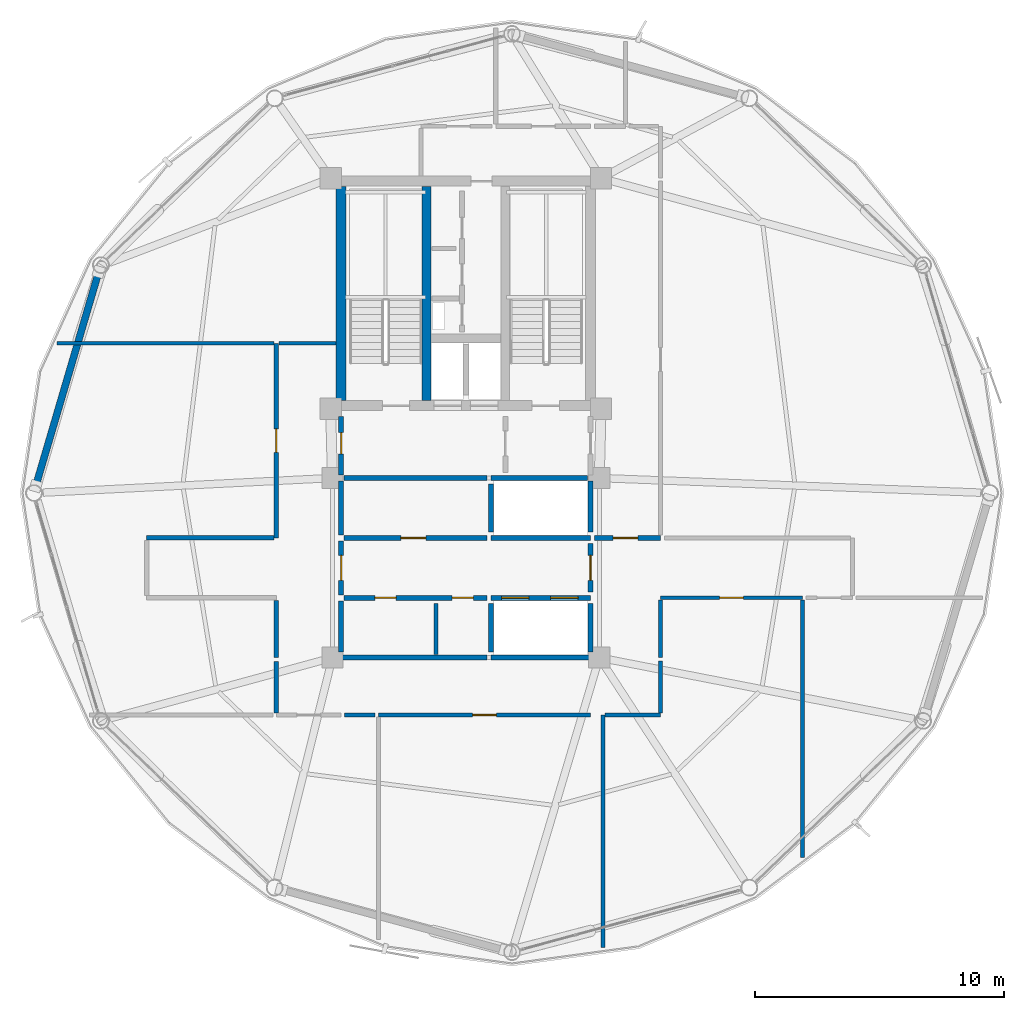
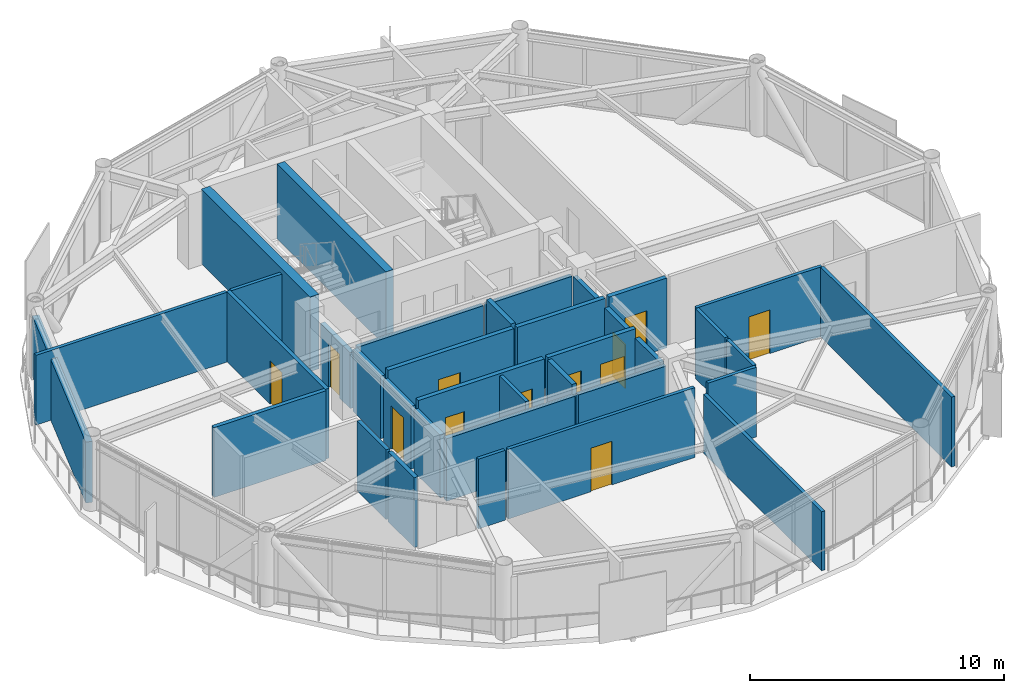
# One storey, part 23 of 28: 36 walls, 12 doors, 12 openings.
"""IFC4 building model written with IfcOpenShell, lengths in metres."""

from ifc_helpers import new_model, si_unit, direction, frame, frame_2d, origin, place, context, subcontext, project, spatial, rectangle, extrude, material, layer, layer_set, type_object, element, fill, save


model = new_model("IFC4")

# Units and contexts
model_context = context("Model", 3, precision=1e-05, world=origin(), true_north=direction((0.0, 1.0)))
body_context = subcontext(model_context, "Body", "Model", "MODEL_VIEW")
ifc_project = project(units=[si_unit("LENGTHUNIT", "METRE"), si_unit("AREAUNIT", "SQUARE_METRE"), si_unit("VOLUMEUNIT", "CUBIC_METRE"), si_unit("PLANEANGLEUNIT", "RADIAN"), si_unit("MASSUNIT", "GRAM", prefix="KILO")], contexts=[model_context])

# Site, building, storey
site_placement = place(None, origin())
site = spatial("IfcSite", under=ifc_project, at=site_placement, CompositionType="ELEMENT")
building_placement = place(site_placement, origin())
building = spatial("IfcBuilding", under=site, at=building_placement, Name="Varnakorn Sky Granary", CompositionType="ELEMENT")
storey_placement = place(building_placement, frame((0.0, 0.0, 211.199951171875)))
storey = spatial("IfcBuildingStorey", under=building, at=storey_placement, Name="L53", CompositionType="ELEMENT", Elevation=211.199951171875)

# Walls
ifc_material_1 = material(Name="Concrete C50/60", Category="concrete")
ifc_layer_1 = layer(ifc_material_1, 0.35009765625, Name="Concrete C50/60")
ifc_layer_set_1 = layer_set([ifc_layer_1], Name="Concrete C50/60")
wall_type_1 = type_object("IfcWallType", Name="WT-CW-INT-350", PredefinedType="SHEAR", material=ifc_layer_set_1)
wall_1_placement = place(storey_placement, frame((1.419921875, 3.7099609375, 0.0), z_axis=(0.0, 0.0, 1.0), x_axis=(0.0, 1.0, 0.0)))
element("IfcWall", 1, at=wall_1_placement, inside=storey, type_object=wall_type_1, Name="Stair ST-1 Core Wall L53", PredefinedType="SHEAR", context=body_context, shape_type="SweptSolid", body=[
    extrude(rectangle(XDim=8.580078125, YDim=0.35009765625, at=frame_2d((4.2900390625, 0.0))), origin(), (0.0, 0.0, 1.0), 3.592041015625),
])
ifc_layer_2 = layer(ifc_material_1, 0.39990234375, Name="Concrete C50/60")
ifc_layer_set_2 = layer_set([ifc_layer_2], Name="Concrete C50/60")
wall_type_2 = type_object("IfcWallType", Name="WT-CW-SHEAR-400", PredefinedType="SHEAR", material=ifc_layer_set_2)
wall_2_placement = place(storey_placement, frame((-2.0, 3.7099609375, 0.0), z_axis=(0.0, 0.0, 1.0), x_axis=(0.0, 1.0, 0.0)))
element("IfcWall", 2, at=wall_2_placement, inside=storey, type_object=wall_type_2, Name="Core West Shear Wall L53", PredefinedType="SHEAR", context=body_context, shape_type="SweptSolid", body=[
    extrude(rectangle(XDim=8.580078125, YDim=0.39990234375, at=frame_2d((4.2900390625, 0.0))), origin(), (0.0, 0.0, 1.0), 3.592041015625),
])
ifc_material_2 = material(Name="Precast concrete C40/50", Category="concrete")
ifc_layer_3 = layer(ifc_material_2, 0.280029296875, Name="Precast concrete C40/50")
ifc_layer_set_3 = layer_set([ifc_layer_3], Name="Precast concrete C40/50")
wall_type_3 = type_object("IfcWallType", Name="WT-EW-CRN-280", PredefinedType="SOLIDWALL", material=ifc_layer_set_3)
wall_3_placement = place(storey_placement, frame((-14.24267578125, 0.2734375, 0.0), z_axis=(0.0, 0.0, 1.0), x_axis=(0.281972946309, 0.959422356186, 0.0)))
element("IfcWall", 3, at=wall_3_placement, inside=storey, type_object=wall_type_3, Name="Agritech Insulated Precast Facade Wall L53-P06", PredefinedType="SOLIDWALL", context=body_context, shape_type="SweptSolid", body=[
    extrude(rectangle(XDim=8.954345703125, YDim=0.280029296875, at=frame_2d((4.47705078125, 0.0))), origin(), (0.0, 0.0, 1.0), 2.929931640625),
])

# Wall, opening, door
ifc_material_3 = material(Name="Autoclaved Aerated Concrete Blockwork", Category="masonry")
ifc_layer_4 = layer(ifc_material_3, 0.199951171875, Name="Autoclaved Aerated Concrete Blockwork")
ifc_layer_set_4 = layer_set([ifc_layer_4], Name="Autoclaved Aerated Concrete Blockwork")
wall_type_4 = type_object("IfcWallType", Name="WT-FIRE-200", PredefinedType="MOVABLE", material=ifc_layer_set_4)
wall_4_placement = place(storey_placement, frame((-2.0, 0.719970703125, 0.0), z_axis=(0.0, 0.0, 1.0), x_axis=(0.0, 1.0, 0.0)))
wall_4 = element("IfcWall", 4, at=wall_4_placement, inside=storey, type_object=wall_type_4, Name="Interior Partition Wall L53-013", PredefinedType="MOVABLE", context=body_context, shape_type="SweptSolid", body=[
    extrude(rectangle(XDim=2.35009765625, YDim=0.199951171875, at=frame_2d((1.175048828125, 0.0))), origin(), (0.0, 0.0, 1.0), 2.692138671875),
])
opening_1_placement = place(wall_4_placement, frame((0.844970703125, 0.0, 0.0)))
opening_1 = element("IfcOpeningElement", 5, at=opening_1_placement, cuts=wall_4, Name="Opening FD-60N", PredefinedType="OPENING", context=body_context, shape_type="SweptSolid", body=[
    extrude(rectangle(XDim=0.85009765625, YDim=2.10009765625, at=frame_2d((0.425048828125, 1.050048828125))), frame((0.0, 0.10986328125, 0.0), z_axis=(0.0, -1.0, 0.0), x_axis=(1.0, 0.0, 0.0)), (0.0, 0.0, 1.0), 0.219970703125),
])
ifc_material_4 = material(Name="Acoustic Timber Fire Leaf", Category="wood")
door_type_1 = type_object("IfcDoorType", Name="DR-FD60-850", OperationType="NOTDEFINED", PredefinedType="DOOR", material=ifc_material_4)
door_1_placement = place(opening_1_placement, origin())
door_1 = element("IfcDoor", 6, at=door_1_placement, inside=storey, type_object=door_type_1, Name="Interior Door L53-013-1", OperationType="SINGLE_SWING_RIGHT", OverallHeight=2.10009765625, OverallWidth=0.85009765625, PredefinedType="DOOR", context=body_context, shape_type="SweptSolid", body=[
    extrude(rectangle(XDim=0.85009765625, YDim=2.10009765625, at=frame_2d((0.425048828125, 1.050048828125))), frame((0.0, 0.02490234375, 0.0), z_axis=(0.0, -1.0, 0.0), x_axis=(1.0, 0.0, 0.0)), (0.0, 0.0, 1.0), 0.050048828125),
])
fill(opening_1, door_1)

wall_5_placement = place(storey_placement, frame((-2.0, -4.080078125, 0.0), z_axis=(0.0, 0.0, 1.0), x_axis=(0.0, 1.0, 0.0)))
wall_5 = element("IfcWall", 7, at=wall_5_placement, inside=storey, type_object=wall_type_4, Name="Interior Partition Wall L53-015", PredefinedType="MOVABLE", context=body_context, shape_type="SweptSolid", body=[
    extrude(rectangle(XDim=2.16015625, YDim=0.199951171875, at=frame_2d((1.080078125, 0.0))), origin(), (0.0, 0.0, 1.0), 3.011962890625),
])
opening_2_placement = place(wall_5_placement, frame((0.580078125, 0.0, 0.0)))
opening_2 = element("IfcOpeningElement", 8, at=opening_2_placement, cuts=wall_5, Name="Opening FD-60", PredefinedType="OPENING", context=body_context, shape_type="SweptSolid", body=[
    extrude(rectangle(XDim=1.0, YDim=2.10009765625, at=frame_2d((0.5, 1.050048828125))), frame((0.0, 0.10986328125, 0.0), z_axis=(0.0, -1.0, 0.0), x_axis=(1.0, 0.0, 0.0)), (0.0, 0.0, 1.0), 0.219970703125),
])
door_type_2 = type_object("IfcDoorType", Name="DR-FD60-1000", OperationType="NOTDEFINED", PredefinedType="DOOR", material=ifc_material_4)
door_2_placement = place(opening_2_placement, origin())
door_2 = element("IfcDoor", 9, at=door_2_placement, inside=storey, type_object=door_type_2, Name="Interior Door L53-015-1", OperationType="SINGLE_SWING_RIGHT", OverallHeight=2.10009765625, OverallWidth=1.0, PredefinedType="DOOR", context=body_context, shape_type="SweptSolid", body=[
    extrude(rectangle(XDim=1.0, YDim=2.10009765625, at=frame_2d((0.5, 1.050048828125))), frame((0.0, 0.02490234375, 0.0), z_axis=(0.0, -1.0, 0.0), x_axis=(1.0, 0.0, 0.0)), (0.0, 0.0, 1.0), 0.050048828125),
])
fill(opening_2, door_2)

wall_6_placement = place(storey_placement, frame((8.0, -3.969970703125, 0.0), z_axis=(0.0, 0.0, 1.0), x_axis=(0.0, 1.0, 0.0)))
wall_6 = element("IfcWall", 10, at=wall_6_placement, inside=storey, type_object=wall_type_4, Name="Interior Partition Wall L53-016", PredefinedType="MOVABLE", context=body_context, shape_type="SweptSolid", body=[
    extrude(rectangle(XDim=1.93994140625, YDim=0.199951171875, at=frame_2d((0.969970703125, 0.0))), origin(), (0.0, 0.0, 1.0), 3.011962890625),
])
opening_3_placement = place(wall_6_placement, frame((0.469970703125, 0.0, 0.0)))
opening_3 = element("IfcOpeningElement", 11, at=opening_3_placement, cuts=wall_6, Name="Opening FD-60", PredefinedType="OPENING", context=body_context, shape_type="SweptSolid", body=[
    extrude(rectangle(XDim=1.0, YDim=2.10009765625, at=frame_2d((0.5, 1.050048828125))), frame((0.0, 0.10986328125, 0.0), z_axis=(0.0, -1.0, 0.0), x_axis=(1.0, 0.0, 0.0)), (0.0, 0.0, 1.0), 0.219970703125),
])
door_3_placement = place(opening_3_placement, origin())
door_3 = element("IfcDoor", 12, at=door_3_placement, inside=storey, type_object=door_type_2, Name="Interior Door L53-016-1", OperationType="SINGLE_SWING_LEFT", OverallHeight=2.10009765625, OverallWidth=1.0, PredefinedType="DOOR", context=body_context, shape_type="SweptSolid", body=[
    extrude(rectangle(XDim=1.0, YDim=2.10009765625, at=frame_2d((0.5, 1.050048828125))), frame((0.0, 0.02490234375, 0.0), z_axis=(0.0, -1.0, 0.0), x_axis=(1.0, 0.0, 0.0)), (0.0, 0.0, 1.0), 0.050048828125),
])
fill(opening_3, door_3)

wall_7_placement = place(storey_placement, frame((-1.889892578125, -1.800048828125, 0.0), z_axis=(0.0, 0.0, 1.0), x_axis=(1.0, 0.0, 0.0)))
wall_7 = element("IfcWall", 13, at=wall_7_placement, inside=storey, type_object=wall_type_4, Name="Interior Partition Wall L53-017", PredefinedType="MOVABLE", context=body_context, shape_type="SweptSolid", body=[
    extrude(rectangle(XDim=5.72998046875, YDim=0.199951171875, at=frame_2d((2.864990234375, 0.0))), origin(), (0.0, 0.0, 1.0), 3.360107421875),
])
opening_4_placement = place(wall_7_placement, frame((2.2900390625, 0.0, 0.0)))
opening_4 = element("IfcOpeningElement", 14, at=opening_4_placement, cuts=wall_7, Name="Opening FD-60", PredefinedType="OPENING", context=body_context, shape_type="SweptSolid", body=[
    extrude(rectangle(XDim=1.0, YDim=2.10009765625, at=frame_2d((0.5, 1.050048828125))), frame((0.0, 0.10986328125, 0.0), z_axis=(0.0, -1.0, 0.0), x_axis=(1.0, 0.0, 0.0)), (0.0, 0.0, 1.0), 0.219970703125),
])
door_4_placement = place(opening_4_placement, origin())
door_4 = element("IfcDoor", 15, at=door_4_placement, inside=storey, type_object=door_type_2, Name="Interior Door L53-017-1", OperationType="SINGLE_SWING_RIGHT", OverallHeight=2.10009765625, OverallWidth=1.0, PredefinedType="DOOR", context=body_context, shape_type="SweptSolid", body=[
    extrude(rectangle(XDim=1.0, YDim=2.10009765625, at=frame_2d((0.5, 1.050048828125))), frame((0.0, 0.02490234375, 0.0), z_axis=(0.0, -1.0, 0.0), x_axis=(1.0, 0.0, 0.0)), (0.0, 0.0, 1.0), 0.050048828125),
])
fill(opening_4, door_4)

# Wall, openings, doors
wall_8_placement = place(storey_placement, frame((-1.889892578125, -4.199951171875, 0.0), z_axis=(0.0, 0.0, 1.0), x_axis=(1.0, 0.0, 0.0)))
wall_8 = element("IfcWall", 16, at=wall_8_placement, inside=storey, type_object=wall_type_4, Name="Interior Partition Wall L53-018", PredefinedType="MOVABLE", context=body_context, shape_type="SweptSolid", body=[
    extrude(rectangle(XDim=5.72998046875, YDim=0.199951171875, at=frame_2d((2.864990234375, 0.0))), origin(), (0.0, 0.0, 1.0), 3.360107421875),
])
opening_5_placement = place(wall_8_placement, frame((1.239990234375, 0.0, 0.0)))
opening_5 = element("IfcOpeningElement", 17, at=opening_5_placement, cuts=wall_8, Name="Opening FD-60N", PredefinedType="OPENING", context=body_context, shape_type="SweptSolid", body=[
    extrude(rectangle(XDim=0.85009765625, YDim=2.10009765625, at=frame_2d((0.425048828125, 1.050048828125))), frame((0.0, 0.10986328125, 0.0), z_axis=(0.0, -1.0, 0.0), x_axis=(1.0, 0.0, 0.0)), (0.0, 0.0, 1.0), 0.219970703125),
])
opening_6_placement = place(wall_8_placement, frame((4.340087890625, 0.0, 0.0)))
opening_6 = element("IfcOpeningElement", 18, at=opening_6_placement, cuts=wall_8, Name="Opening FD-60N", PredefinedType="OPENING", context=body_context, shape_type="SweptSolid", body=[
    extrude(rectangle(XDim=0.85009765625, YDim=2.10009765625, at=frame_2d((0.425048828125, 1.050048828125))), frame((0.0, 0.10986328125, 0.0), z_axis=(0.0, -1.0, 0.0), x_axis=(1.0, 0.0, 0.0)), (0.0, 0.0, 1.0), 0.219970703125),
])
door_5_placement = place(opening_5_placement, origin())
door_5 = element("IfcDoor", 19, at=door_5_placement, inside=storey, type_object=door_type_1, Name="Interior Door L53-018-1", OperationType="SINGLE_SWING_LEFT", OverallHeight=2.10009765625, OverallWidth=0.85009765625, PredefinedType="DOOR", context=body_context, shape_type="SweptSolid", body=[
    extrude(rectangle(XDim=0.85009765625, YDim=2.10009765625, at=frame_2d((0.425048828125, 1.050048828125))), frame((0.0, 0.02490234375, 0.0), z_axis=(0.0, -1.0, 0.0), x_axis=(1.0, 0.0, 0.0)), (0.0, 0.0, 1.0), 0.050048828125),
])
fill(opening_5, door_5)
door_6_placement = place(opening_6_placement, origin())
door_6 = element("IfcDoor", 20, at=door_6_placement, inside=storey, type_object=door_type_1, Name="Interior Door L53-018-2", OperationType="SINGLE_SWING_RIGHT", OverallHeight=2.10009765625, OverallWidth=0.85009765625, PredefinedType="DOOR", context=body_context, shape_type="SweptSolid", body=[
    extrude(rectangle(XDim=0.85009765625, YDim=2.10009765625, at=frame_2d((0.425048828125, 1.050048828125))), frame((0.0, 0.02490234375, 0.0), z_axis=(0.0, -1.0, 0.0), x_axis=(1.0, 0.0, 0.0)), (0.0, 0.0, 1.0), 0.050048828125),
])
fill(opening_6, door_6)

# Wall, opening, door
wall_9_placement = place(storey_placement, frame((8.159912109375, -1.800048828125, 0.0), z_axis=(0.0, 0.0, 1.0), x_axis=(1.0, 0.0, 0.0)))
wall_9 = element("IfcWall", 21, at=wall_9_placement, inside=storey, type_object=wall_type_4, Name="Interior Partition Wall L53-019", PredefinedType="MOVABLE", context=body_context, shape_type="SweptSolid", body=[
    extrude(rectangle(XDim=2.64013671875, YDim=0.199951171875, at=frame_2d((1.320068359375, 0.0))), origin(), (0.0, 0.0, 1.0), 3.360107421875),
])
opening_7_placement = place(wall_9_placement, frame((0.739990234375, 0.0, 0.0)))
opening_7 = element("IfcOpeningElement", 22, at=opening_7_placement, cuts=wall_9, Name="Opening FD-60", PredefinedType="OPENING", context=body_context, shape_type="SweptSolid", body=[
    extrude(rectangle(XDim=1.0, YDim=2.10009765625, at=frame_2d((0.5, 1.050048828125))), frame((0.0, 0.10986328125, 0.0), z_axis=(0.0, -1.0, 0.0), x_axis=(1.0, 0.0, 0.0)), (0.0, 0.0, 1.0), 0.219970703125),
])
door_7_placement = place(opening_7_placement, origin())
door_7 = element("IfcDoor", 23, at=door_7_placement, inside=storey, type_object=door_type_2, Name="Interior Door L53-019-1", OperationType="SINGLE_SWING_LEFT", OverallHeight=2.10009765625, OverallWidth=1.0, PredefinedType="DOOR", context=body_context, shape_type="SweptSolid", body=[
    extrude(rectangle(XDim=1.0, YDim=2.10009765625, at=frame_2d((0.5, 1.050048828125))), frame((0.0, 0.02490234375, 0.0), z_axis=(0.0, -1.0, 0.0), x_axis=(1.0, 0.0, 0.0)), (0.0, 0.0, 1.0), 0.050048828125),
])
fill(opening_7, door_7)

# Walls
wall_10_placement = place(storey_placement, frame((-1.8798828125, 0.60009765625, 0.0), z_axis=(0.0, 0.0, 1.0), x_axis=(1.0, 0.0, 0.0)))
element("IfcWall", 24, at=wall_10_placement, inside=storey, type_object=wall_type_4, Name="Interior Partition Wall L53-029", PredefinedType="MOVABLE", context=body_context, shape_type="SweptSolid", body=[
    extrude(rectangle(XDim=5.719970703125, YDim=0.199951171875, at=frame_2d((2.85986328125, 0.0))), origin(), (0.0, 0.0, 1.0), 3.011962890625),
])
wall_11_placement = place(storey_placement, frame((-2.0, -1.679931640625, 0.0), z_axis=(0.0, 0.0, 1.0), x_axis=(0.0, 1.0, 0.0)))
element("IfcWall", 25, at=wall_11_placement, inside=storey, type_object=wall_type_4, Name="Interior Partition Wall L53-030", PredefinedType="MOVABLE", context=body_context, shape_type="SweptSolid", body=[
    extrude(rectangle(XDim=2.159912109375, YDim=0.199951171875, at=frame_2d((1.080078125, 0.0))), origin(), (0.0, 0.0, 1.0), 3.011962890625),
])
wall_12_placement = place(storey_placement, frame((-2.0, -6.60009765625, 0.0), z_axis=(0.0, 0.0, 1.0), x_axis=(1.0, 0.0, 0.0)))
element("IfcWall", 26, at=wall_12_placement, inside=storey, type_object=wall_type_4, Name="Interior Partition Wall L53-032", PredefinedType="MOVABLE", context=body_context, shape_type="SweptSolid", body=[
    extrude(rectangle(XDim=5.840087890625, YDim=0.199951171875, at=frame_2d((2.919921875, 0.0))), origin(), (0.0, 0.0, 1.0), 3.011962890625),
])
wall_13_placement = place(storey_placement, frame((-2.0, -6.3701171875, 0.0), z_axis=(0.0, 0.0, 1.0), x_axis=(0.0, 1.0, 0.0)))
element("IfcWall", 27, at=wall_13_placement, inside=storey, type_object=wall_type_4, Name="Interior Partition Wall L53-033", PredefinedType="MOVABLE", context=body_context, shape_type="SweptSolid", body=[
    extrude(rectangle(XDim=2.050048828125, YDim=0.199951171875, at=frame_2d((1.02490234375, 0.0))), origin(), (0.0, 0.0, 1.0), 3.011962890625),
])

# Wall, opening, door
ifc_material_5 = material(Name="Gypsum Plasterboard on Steel Stud", Category="steel")
ifc_layer_5 = layer(ifc_material_5, 0.14990234375, Name="Gypsum Plasterboard on Steel Stud")
ifc_layer_set_5 = layer_set([ifc_layer_5], Name="Gypsum Plasterboard on Steel Stud")
wall_type_5 = type_object("IfcWallType", Name="WT-PART-150", PredefinedType="PARTITIONING", material=ifc_layer_set_5)
wall_14_placement = place(storey_placement, frame((-0.5, -8.89990234375, 0.0), z_axis=(0.0, 0.0, 1.0), x_axis=(1.0, 0.0, 0.0)))
wall_14 = element("IfcWall", 28, at=wall_14_placement, inside=storey, type_object=wall_type_5, Name="Interior Partition Wall L53-022", PredefinedType="PARTITIONING", context=body_context, shape_type="SweptSolid", body=[
    extrude(rectangle(XDim=8.5, YDim=0.14990234375, at=frame_2d((4.25, 0.0))), origin(), (0.0, 0.0, 1.0), 3.360107421875),
])
opening_8_placement = place(wall_14_placement, frame((3.77490234375, 0.0, 0.0)))
opening_8 = element("IfcOpeningElement", 29, at=opening_8_placement, cuts=wall_14, Name="Opening ID-95", PredefinedType="OPENING", context=body_context, shape_type="SweptSolid", body=[
    extrude(rectangle(XDim=0.949951171875, YDim=2.10009765625, at=frame_2d((0.47509765625, 1.050048828125))), frame((0.0, 0.0849609375, 0.0), z_axis=(0.0, -1.0, 0.0), x_axis=(1.0, 0.0, 0.0)), (0.0, 0.0, 1.0), 0.169921875),
])
ifc_material_6 = material(Name="Solid-Core Teak Veneer Leaf", Category="timber")
door_type_3 = type_object("IfcDoorType", Name="DR-INT-950", OperationType="NOTDEFINED", PredefinedType="DOOR", material=ifc_material_6)
door_8_placement = place(opening_8_placement, origin())
door_8 = element("IfcDoor", 30, at=door_8_placement, inside=storey, type_object=door_type_3, Name="Interior Door L53-022-1", OperationType="SINGLE_SWING_RIGHT", OverallHeight=2.10009765625, OverallWidth=0.949951171875, PredefinedType="DOOR", context=body_context, shape_type="SweptSolid", body=[
    extrude(rectangle(XDim=0.949951171875, YDim=2.10009765625, at=frame_2d((0.47509765625, 1.050048828125))), frame((0.0, 0.02490234375, 0.0), z_axis=(0.0, -1.0, 0.0), x_axis=(1.0, 0.0, 0.0)), (0.0, 0.0, 1.0), 0.050048828125),
])
fill(opening_8, door_8)

wall_15_placement = place(storey_placement, frame((10.800048828125, -4.199951171875, 0.0), z_axis=(0.0, 0.0, 1.0), x_axis=(1.0, 0.0, 0.0)))
wall_15 = element("IfcWall", 31, at=wall_15_placement, inside=storey, type_object=wall_type_5, Name="Interior Partition Wall L53-023", PredefinedType="PARTITIONING", context=body_context, shape_type="SweptSolid", body=[
    extrude(rectangle(XDim=5.699951171875, YDim=0.14990234375, at=frame_2d((2.85009765625, 0.0))), origin(), (0.0, 0.0, 1.0), 3.360107421875),
])
opening_9_placement = place(wall_15_placement, frame((2.375, 0.0, 0.0)))
opening_9 = element("IfcOpeningElement", 32, at=opening_9_placement, cuts=wall_15, Name="Opening ID-95", PredefinedType="OPENING", context=body_context, shape_type="SweptSolid", body=[
    extrude(rectangle(XDim=0.949951171875, YDim=2.10009765625, at=frame_2d((0.47509765625, 1.050048828125))), frame((0.0, 0.0849609375, 0.0), z_axis=(0.0, -1.0, 0.0), x_axis=(1.0, 0.0, 0.0)), (0.0, 0.0, 1.0), 0.169921875),
])
door_9_placement = place(opening_9_placement, origin())
door_9 = element("IfcDoor", 33, at=door_9_placement, inside=storey, type_object=door_type_3, Name="Interior Door L53-023-1", OperationType="SINGLE_SWING_LEFT", OverallHeight=2.10009765625, OverallWidth=0.949951171875, PredefinedType="DOOR", context=body_context, shape_type="SweptSolid", body=[
    extrude(rectangle(XDim=0.949951171875, YDim=2.10009765625, at=frame_2d((0.47509765625, 1.050048828125))), frame((0.0, 0.02490234375, 0.0), z_axis=(0.0, -1.0, 0.0), x_axis=(1.0, 0.0, 0.0)), (0.0, 0.0, 1.0), 0.050048828125),
])
fill(opening_9, door_9)

# Walls
wall_16_placement = place(storey_placement, frame((1.800048828125, -6.47998046875, 0.0), z_axis=(0.0, 0.0, 1.0), x_axis=(0.0, 1.0, 0.0)))
element("IfcWall", 34, at=wall_16_placement, inside=storey, type_object=wall_type_5, Name="Interior Partition Wall L53-031", PredefinedType="PARTITIONING", context=body_context, shape_type="SweptSolid", body=[
    extrude(rectangle(XDim=2.050048828125, YDim=0.14990234375, at=frame_2d((1.02490234375, 0.0))), origin(), (0.0, 0.0, 1.0), 3.360107421875),
])
wall_17_placement = place(storey_placement, frame((-1.864990234375, -8.89990234375, 0.0), z_axis=(0.0, 0.0, 1.0), x_axis=(1.0, 0.0, 0.0)))
element("IfcWall", 35, at=wall_17_placement, inside=storey, type_object=wall_type_5, Name="Interior Partition Wall L53-035", PredefinedType="PARTITIONING", context=body_context, shape_type="SweptSolid", body=[
    extrude(rectangle(XDim=1.22998046875, YDim=0.14990234375, at=frame_2d((0.614990234375, 0.0))), origin(), (0.0, 0.0, 1.0), 3.360107421875),
])
wall_18_placement = place(storey_placement, frame((8.5, -8.89990234375, 0.0), z_axis=(0.0, 0.0, 1.0), x_axis=(0.0, -1.0, 0.0)))
element("IfcWall", 36, at=wall_18_placement, inside=storey, type_object=wall_type_5, Name="Interior Partition Wall L53-038", PredefinedType="PARTITIONING", context=body_context, shape_type="SweptSolid", body=[
    extrude(rectangle(XDim=9.3271484375, YDim=0.14990234375, at=frame_2d((4.66357421875, 0.0))), origin(), (0.0, 0.0, 1.0), 2.842041015625),
])
wall_19_placement = place(storey_placement, frame((10.800048828125, -6.60009765625, 0.0), z_axis=(0.0, 0.0, 1.0), x_axis=(0.0, 1.0, 0.0)))
element("IfcWall", 37, at=wall_19_placement, inside=storey, type_object=wall_type_5, Name="Interior Partition Wall L53-039", PredefinedType="PARTITIONING", context=body_context, shape_type="SweptSolid", body=[
    extrude(rectangle(XDim=2.315185546875, YDim=0.14990234375, at=frame_2d((1.15771484375, 0.0))), origin(), (0.0, 0.0, 1.0), 3.360107421875),
])
wall_20_placement = place(storey_placement, frame((8.5849609375, -8.89990234375, 0.0), z_axis=(0.0, 0.0, 1.0), x_axis=(1.0, 0.0, 0.0)))
element("IfcWall", 38, at=wall_20_placement, inside=storey, type_object=wall_type_5, Name="Interior Partition Wall L53-040", PredefinedType="PARTITIONING", context=body_context, shape_type="SweptSolid", body=[
    extrude(rectangle(XDim=2.215087890625, YDim=0.14990234375, at=frame_2d((1.107421875, 0.0))), origin(), (0.0, 0.0, 1.0), 3.360107421875),
])
wall_21_placement = place(storey_placement, frame((10.800048828125, -8.81494140625, 0.0), z_axis=(0.0, 0.0, 1.0), x_axis=(0.0, 1.0, 0.0)))
element("IfcWall", 39, at=wall_21_placement, inside=storey, type_object=wall_type_5, Name="Interior Partition Wall L53-041", PredefinedType="PARTITIONING", context=body_context, shape_type="SweptSolid", body=[
    extrude(rectangle(XDim=2.079833984375, YDim=0.14990234375, at=frame_2d((1.0400390625, 0.0))), origin(), (0.0, 0.0, 1.0), 3.360107421875),
])
wall_22_placement = place(storey_placement, frame((16.5, -4.284912109375, 0.0), z_axis=(0.0, 0.0, 1.0), x_axis=(0.0, -1.0, 0.0)))
element("IfcWall", 40, at=wall_22_placement, inside=storey, type_object=wall_type_5, Name="Interior Partition Wall L53-042", PredefinedType="PARTITIONING", context=body_context, shape_type="SweptSolid", body=[
    extrude(rectangle(XDim=10.3271484375, YDim=0.14990234375, at=frame_2d((5.16357421875, 0.0))), origin(), (0.0, 0.0, 1.0), 3.360107421875),
])
wall_23_placement = place(storey_placement, frame((-13.39697265625, 6.0, 0.0), z_axis=(0.0, 0.0, 1.0), x_axis=(1.0, 0.0, 0.0)))
element("IfcWall", 41, at=wall_23_placement, inside=storey, type_object=wall_type_5, Name="Interior Partition Wall L53-049", PredefinedType="PARTITIONING", context=body_context, shape_type="SweptSolid", body=[
    extrude(rectangle(XDim=8.697021484375, YDim=0.14990234375, at=frame_2d((4.3486328125, 0.0))), origin(), (0.0, 0.0, 1.0), 3.360107421875),
])
wall_24_placement = place(storey_placement, frame((-2.2099609375, 6.0, 0.0), z_axis=(0.0, 0.0, 1.0), x_axis=(-1.0, 0.0, 0.0)))
element("IfcWall", 42, at=wall_24_placement, inside=storey, type_object=wall_type_5, Name="Interior Partition Wall L53-051", PredefinedType="PARTITIONING", context=body_context, shape_type="SweptSolid", body=[
    extrude(rectangle(XDim=2.2900390625, YDim=0.14990234375, at=frame_2d((1.14501953125, 0.0))), origin(), (0.0, 0.0, 1.0), 3.360107421875),
])

# Wall, opening, door
ifc_material_7 = material(Name="Moisture-Resistant Gypsum on Stud", Category="gypsum")
ifc_layer_6 = layer(ifc_material_7, 0.179931640625, Name="Moisture-Resistant Gypsum on Stud")
ifc_layer_set_6 = layer_set([ifc_layer_6], Name="Moisture-Resistant Gypsum on Stud")
wall_type_6 = type_object("IfcWallType", Name="WT-PLUMB-180", PredefinedType="PLUMBINGWALL", material=ifc_layer_set_6)
wall_25_placement = place(storey_placement, frame((-4.60009765625, 6.0, 0.0), z_axis=(0.0, 0.0, 1.0), x_axis=(0.0, -1.0, 0.0)))
wall_25 = element("IfcWall", 43, at=wall_25_placement, inside=storey, type_object=wall_type_6, Name="Interior Partition Wall L53-025", PredefinedType="PLUMBINGWALL", context=body_context, shape_type="SweptSolid", body=[
    extrude(rectangle(XDim=7.800048828125, YDim=0.179931640625, at=frame_2d((3.89990234375, 0.0))), origin(), (0.0, 0.0, 1.0), 3.360107421875),
])
opening_10_placement = place(wall_25_placement, frame((3.425048828125, 0.0, 0.0)))
opening_10 = element("IfcOpeningElement", 44, at=opening_10_placement, cuts=wall_25, Name="Opening ID-95", PredefinedType="OPENING", context=body_context, shape_type="SweptSolid", body=[
    extrude(rectangle(XDim=0.949951171875, YDim=2.10009765625, at=frame_2d((0.47509765625, 1.050048828125))), frame((0.0, 0.10009765625, 0.0), z_axis=(0.0, -1.0, 0.0), x_axis=(1.0, 0.0, 0.0)), (0.0, 0.0, 1.0), 0.199951171875),
])
door_10_placement = place(opening_10_placement, origin())
door_10 = element("IfcDoor", 45, at=door_10_placement, inside=storey, type_object=door_type_3, Name="Interior Door L53-025-1", OperationType="SINGLE_SWING_LEFT", OverallHeight=2.10009765625, OverallWidth=0.949951171875, PredefinedType="DOOR", context=body_context, shape_type="SweptSolid", body=[
    extrude(rectangle(XDim=0.949951171875, YDim=2.10009765625, at=frame_2d((0.47509765625, 1.050048828125))), frame((0.0, 0.02490234375, 0.0), z_axis=(0.0, -1.0, 0.0), x_axis=(1.0, 0.0, 0.0)), (0.0, 0.0, 1.0), 0.050048828125),
])
fill(opening_10, door_10)

# Walls
wall_26_placement = place(storey_placement, frame((-4.699951171875, -1.800048828125, 0.0), z_axis=(0.0, 0.0, 1.0), x_axis=(-1.0, 0.0, 0.0)))
element("IfcWall", 46, at=wall_26_placement, inside=storey, type_object=wall_type_6, Name="Interior Partition Wall L53-044", PredefinedType="PLUMBINGWALL", context=body_context, shape_type="SweptSolid", body=[
    extrude(rectangle(XDim=5.10009765625, YDim=0.179931640625, at=frame_2d((2.550048828125, 0.0))), origin(), (0.0, 0.0, 1.0), 3.360107421875),
])
wall_27_placement = place(storey_placement, frame((-4.60009765625, -4.300048828125, 0.0), z_axis=(0.0, 0.0, 1.0), x_axis=(0.0, -1.0, 0.0)))
element("IfcWall", 47, at=wall_27_placement, inside=storey, type_object=wall_type_6, Name="Interior Partition Wall L53-047", PredefinedType="PLUMBINGWALL", context=body_context, shape_type="SweptSolid", body=[
    extrude(rectangle(XDim=2.300048828125, YDim=0.179931640625, at=frame_2d((1.14990234375, 0.0))), origin(), (0.0, 0.0, 1.0), 3.360107421875),
])
wall_28_placement = place(storey_placement, frame((-4.60009765625, -6.75, 0.0), z_axis=(0.0, 0.0, 1.0), x_axis=(0.0, -1.0, 0.0)))
element("IfcWall", 48, at=wall_28_placement, inside=storey, type_object=wall_type_6, Name="Interior Partition Wall L53-048", PredefinedType="PLUMBINGWALL", context=body_context, shape_type="SweptSolid", body=[
    extrude(rectangle(XDim=2.06494140625, YDim=0.179931640625, at=frame_2d((1.032470703125, 0.0))), origin(), (0.0, 0.0, 1.0), 3.360107421875),
])
ifc_layer_7 = layer(ifc_material_3, 0.199951171875, Name="Autoclaved Aerated Concrete Blockwork")
ifc_layer_set_7 = layer_set([ifc_layer_7], Name="Autoclaved Aerated Concrete Blockwork")
wall_type_7 = type_object("IfcWallType", Name="WT-SHAFT-200", PredefinedType="SOLIDWALL", material=ifc_layer_set_7)
wall_29_placement = place(storey_placement, frame((4.0, 0.60009765625, 0.0), z_axis=(0.0, 0.0, 1.0), x_axis=(1.0, 0.0, 0.0)))
element("IfcWall", 49, at=wall_29_placement, inside=storey, type_object=wall_type_7, Name="Interior Partition Wall L53-003", PredefinedType="SOLIDWALL", context=body_context, shape_type="SweptSolid", body=[
    extrude(rectangle(XDim=3.8798828125, YDim=0.199951171875, at=frame_2d((1.93994140625, 0.0))), origin(), (0.0, 0.0, 1.0), 3.011962890625),
])
wall_30_placement = place(storey_placement, frame((4.0, -1.800048828125, 0.0), z_axis=(0.0, 0.0, 1.0), x_axis=(1.0, 0.0, 0.0)))
element("IfcWall", 50, at=wall_30_placement, inside=storey, type_object=wall_type_7, Name="Interior Partition Wall L53-004", PredefinedType="SOLIDWALL", context=body_context, shape_type="SweptSolid", body=[
    extrude(rectangle(XDim=4.0, YDim=0.199951171875, at=frame_2d((2.0, 0.0))), origin(), (0.0, 0.0, 1.0), 3.360107421875),
])
wall_31_placement = place(storey_placement, frame((4.0, -1.570068359375, 0.0), z_axis=(0.0, 0.0, 1.0), x_axis=(0.0, 1.0, 0.0)))
element("IfcWall", 51, at=wall_31_placement, inside=storey, type_object=wall_type_7, Name="Interior Partition Wall L53-005", PredefinedType="SOLIDWALL", context=body_context, shape_type="SweptSolid", body=[
    extrude(rectangle(XDim=1.940185546875, YDim=0.199951171875, at=frame_2d((0.97021484375, 0.0))), origin(), (0.0, 0.0, 1.0), 3.360107421875),
])
wall_32_placement = place(storey_placement, frame((8.0, -1.570068359375, 0.0), z_axis=(0.0, 0.0, 1.0), x_axis=(0.0, 1.0, 0.0)))
element("IfcWall", 52, at=wall_32_placement, inside=storey, type_object=wall_type_7, Name="Interior Partition Wall L53-006", PredefinedType="SOLIDWALL", context=body_context, shape_type="SweptSolid", body=[
    extrude(rectangle(XDim=2.050048828125, YDim=0.199951171875, at=frame_2d((1.02490234375, 0.0))), origin(), (0.0, 0.0, 1.0), 3.011962890625),
])

# Wall, openings, doors
wall_33_placement = place(storey_placement, frame((4.0, -4.199951171875, 0.0), z_axis=(0.0, 0.0, 1.0), x_axis=(1.0, 0.0, 0.0)))
wall_33 = element("IfcWall", 53, at=wall_33_placement, inside=storey, type_object=wall_type_7, Name="Interior Partition Wall L53-007", PredefinedType="SOLIDWALL", context=body_context, shape_type="SweptSolid", body=[
    extrude(rectangle(XDim=4.0, YDim=0.199951171875, at=frame_2d((2.0, 0.0))), origin(), (0.0, 0.0, 1.0), 3.360107421875),
])
opening_11_placement = place(wall_33_placement, frame((0.429931640625, 0.0, 0.0)))
opening_11 = element("IfcOpeningElement", 54, at=opening_11_placement, cuts=wall_33, Name="Opening LD-01", PredefinedType="OPENING", context=body_context, shape_type="SweptSolid", body=[
    extrude(rectangle(XDim=1.10009765625, YDim=2.199951171875, at=frame_2d((0.550048828125, 1.10009765625))), frame((0.0, 0.10986328125, 0.0), z_axis=(0.0, -1.0, 0.0), x_axis=(1.0, 0.0, 0.0)), (0.0, 0.0, 1.0), 0.219970703125),
])
opening_12_placement = place(wall_33_placement, frame((2.39990234375, 0.0, 0.0)))
opening_12 = element("IfcOpeningElement", 55, at=opening_12_placement, cuts=wall_33, Name="Opening LD-01", PredefinedType="OPENING", context=body_context, shape_type="SweptSolid", body=[
    extrude(rectangle(XDim=1.10009765625, YDim=2.199951171875, at=frame_2d((0.550048828125, 1.10009765625))), frame((0.0, 0.10986328125, 0.0), z_axis=(0.0, -1.0, 0.0), x_axis=(1.0, 0.0, 0.0)), (0.0, 0.0, 1.0), 0.219970703125),
])
ifc_material_8 = material(Name="Brushed Bronze Stainless Steel", Category="steel")
door_type_4 = type_object("IfcDoorType", Name="DR-LD-1100", OperationType="DOUBLE_DOOR_SLIDING", PredefinedType="DOOR", material=ifc_material_8)
door_11_placement = place(opening_11_placement, origin())
door_11 = element("IfcDoor", 56, at=door_11_placement, inside=storey, type_object=door_type_4, Name="Passenger Lift PL-H1 Sliding Landing Door L53", OperationType="DOUBLE_DOOR_SLIDING", OverallHeight=2.199951171875, OverallWidth=1.10009765625, PredefinedType="DOOR", context=body_context, shape_type="SweptSolid", body=[
    extrude(rectangle(XDim=1.10009765625, YDim=2.199951171875, at=frame_2d((0.550048828125, 1.10009765625))), frame((0.0, 0.02490234375, 0.0), z_axis=(0.0, -1.0, 0.0), x_axis=(1.0, 0.0, 0.0)), (0.0, 0.0, 1.0), 0.050048828125),
])
fill(opening_11, door_11)
door_12_placement = place(opening_12_placement, origin())
door_12 = element("IfcDoor", 57, at=door_12_placement, inside=storey, type_object=door_type_4, Name="Passenger Lift PL-H2 Sliding Landing Door L53", OperationType="DOUBLE_DOOR_SLIDING", OverallHeight=2.199951171875, OverallWidth=1.10009765625, PredefinedType="DOOR", context=body_context, shape_type="SweptSolid", body=[
    extrude(rectangle(XDim=1.10009765625, YDim=2.199951171875, at=frame_2d((0.550048828125, 1.10009765625))), frame((0.0, 0.02490234375, 0.0), z_axis=(0.0, -1.0, 0.0), x_axis=(1.0, 0.0, 0.0)), (0.0, 0.0, 1.0), 0.050048828125),
])
fill(opening_12, door_12)

# Walls
wall_34_placement = place(storey_placement, frame((4.0, -6.60009765625, 0.0), z_axis=(0.0, 0.0, 1.0), x_axis=(1.0, 0.0, 0.0)))
element("IfcWall", 58, at=wall_34_placement, inside=storey, type_object=wall_type_7, Name="Interior Partition Wall L53-008", PredefinedType="SOLIDWALL", context=body_context, shape_type="SweptSolid", body=[
    extrude(rectangle(XDim=4.0, YDim=0.199951171875, at=frame_2d((2.0, 0.0))), origin(), (0.0, 0.0, 1.0), 3.011962890625),
])
wall_35_placement = place(storey_placement, frame((4.0, -6.3701171875, 0.0), z_axis=(0.0, 0.0, 1.0), x_axis=(0.0, 1.0, 0.0)))
element("IfcWall", 59, at=wall_35_placement, inside=storey, type_object=wall_type_7, Name="Interior Partition Wall L53-009", PredefinedType="SOLIDWALL", context=body_context, shape_type="SweptSolid", body=[
    extrude(rectangle(XDim=1.940185546875, YDim=0.199951171875, at=frame_2d((0.97021484375, 0.0))), origin(), (0.0, 0.0, 1.0), 3.360107421875),
])
wall_36_placement = place(storey_placement, frame((8.0, -6.3701171875, 0.0), z_axis=(0.0, 0.0, 1.0), x_axis=(0.0, 1.0, 0.0)))
element("IfcWall", 60, at=wall_36_placement, inside=storey, type_object=wall_type_7, Name="Interior Partition Wall L53-010", PredefinedType="SOLIDWALL", context=body_context, shape_type="SweptSolid", body=[
    extrude(rectangle(XDim=1.940185546875, YDim=0.199951171875, at=frame_2d((0.97021484375, 0.0))), origin(), (0.0, 0.0, 1.0), 3.011962890625),
])

save(model, "model.ifc")
